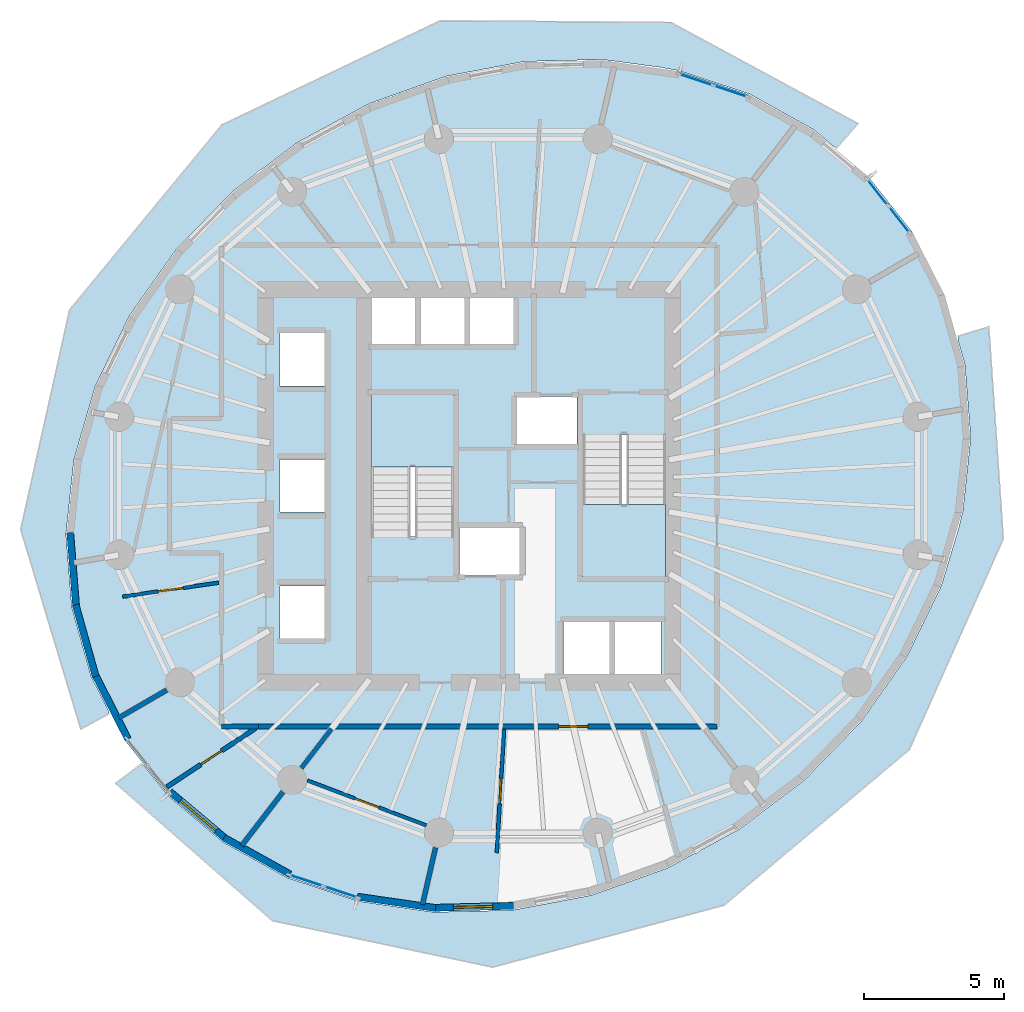
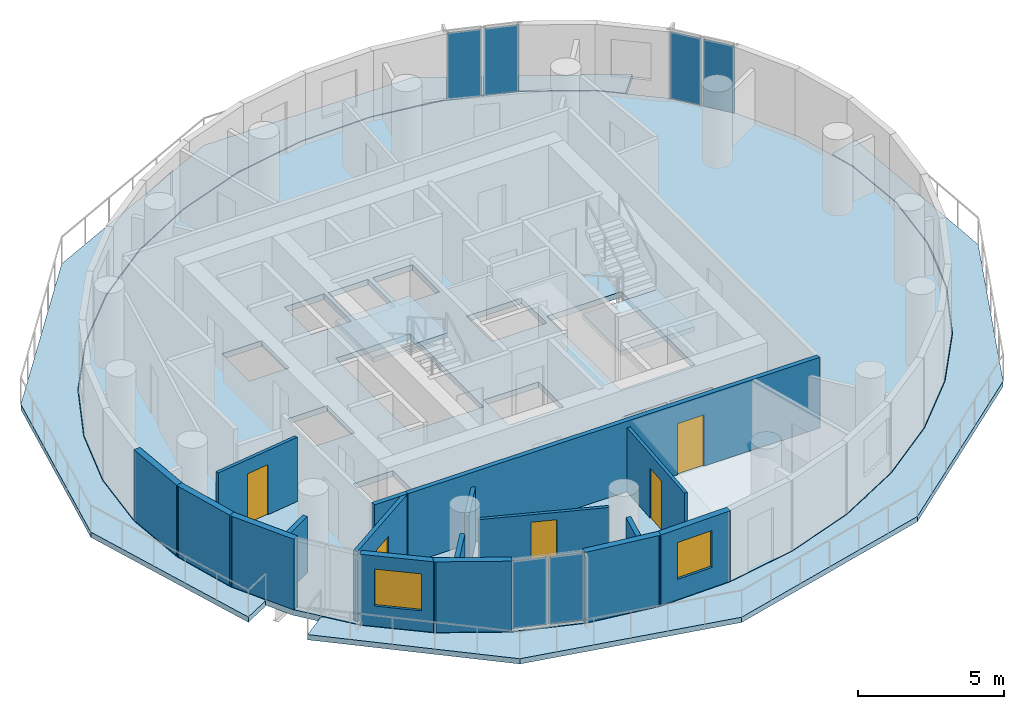
# One storey, part 4 of 12: 17 walls, 6 plates, 5 doors, 5 slabs, 2 windows, 7 openings, 5 elements without a shape of their own.
"""IFC4 building model written with IfcOpenShell, lengths in metres."""

from ifc_helpers import new_model, si_unit, direction, frame, frame_2d, origin, origin_2d, place, context, subcontext, project, spatial, polyline, rectangle, outline, extrude, material, layer, layer_set, type_object, element, fill, aggregate, save


model = new_model("IFC4")

# Units and contexts
model_context = context("Model", 3, precision=1e-05, world=origin(), true_north=direction((0.0, 1.0)))
body_context = subcontext(model_context, "Body", "Model", "MODEL_VIEW")
ifc_project = project(units=[si_unit("LENGTHUNIT", "METRE"), si_unit("AREAUNIT", "SQUARE_METRE"), si_unit("VOLUMEUNIT", "CUBIC_METRE"), si_unit("PLANEANGLEUNIT", "RADIAN"), si_unit("MASSUNIT", "GRAM", prefix="KILO")], contexts=[model_context])

# Site, building, storey
site_placement = place(None, origin())
site = spatial("IfcSite", under=ifc_project, at=site_placement, CompositionType="ELEMENT")
building_placement = place(site_placement, origin())
building = spatial("IfcBuilding", under=site, at=building_placement, Name="Veldorim Arch Residences", CompositionType="ELEMENT")
storey_placement = place(building_placement, frame((0.0, 0.0, 132.9599609375)))
storey = spatial("IfcBuildingStorey", under=building, at=storey_placement, Name="L39", CompositionType="ELEMENT", Elevation=132.9599609375)

# Slabs
ifc_material_1 = material(Name="Concrete C40/50", Category="concrete")
ifc_layer_1 = layer(ifc_material_1, 0.219970703125, Name="Planted Crescent Cantilever Balcony Slab 220")
ifc_layer_set_1 = layer_set([ifc_layer_1], Name="Concrete C40/50")
slab_type_1 = type_object("IfcSlabType", Name="Planted Crescent Cantilever Balcony Slab 220", PredefinedType="FLOOR", material=ifc_layer_set_1)
slab_1_placement = place(storey_placement, frame((0.0, 0.0, -0.219970703125)))
element("IfcSlab", 1, at=slab_1_placement, inside=storey, type_object=slab_type_1, Name="L39 planted crescent balcony slab A", PredefinedType="FLOOR", context=body_context, shape_type="SweptSolid", body=[
    extrude(outline(polyline([(43.224609375, 36.098388671875), (42.52392578125, 36.688720703125), (40.243896484375, 37.954345703125), (37.71337890625, 38.795654296875), (37.022216796875, 38.91650390625), (35.009765625, 39.1875), (32.21484375, 39.117919921875), (29.413330078125, 38.589111328125), (26.69091796875, 37.6171875), (24.12939453125, 36.231689453125), (22.8837890625, 35.289306640625), (22.747314453125, 35.2216796875), (22.661376953125, 35.12109375), (21.806884765625, 34.474609375), (19.794189453125, 32.3994140625), (18.152099609375, 30.069091796875), (16.9306640625, 27.55419921875), (16.166748046875, 24.93115234375), (15.884033203125, 22.279541015625), (16.09130859375, 19.68017578125), (16.78173828125, 17.2119140625), (17.385009765625, 16.02880859375), (17.418212890625, 15.88232421875), (16.408203125, 15.33251953125), (14.267333984375, 22.446533203125), (16.011962890625, 30.2744140625), (21.43603515625, 36.8623046875), (29.218505859375, 40.57470703125), (37.43896484375, 40.510498046875), (44.103271484375, 36.907958984375), (43.344482421875, 36.0439453125), (43.224609375, 36.098388671875)])), origin(), (0.0, 0.0, 1.0), 0.219970703125),
])
slab_2_placement = place(storey_placement, frame((0.0, 0.0, -0.219970703125)))
element("IfcSlab", 2, at=slab_2_placement, inside=storey, type_object=slab_type_1, Name="L39 planted crescent balcony slab B", PredefinedType="FLOOR", context=body_context, shape_type="SweptSolid", body=[
    extrude(outline(polyline([(18.689208984375, 14.001953125), (19.515869140625, 12.962646484375), (21.47607421875, 11.311279296875), (23.756103515625, 10.045654296875), (26.28662109375, 9.204345703125), (28.990234375, 8.8125), (31.78515625, 8.882080078125), (34.586669921875, 9.410888671875), (37.30908203125, 10.3828125), (38.25146484375, 10.892578125), (38.37890625, 10.928955078125), (38.4970703125, 11.025390625), (39.87060546875, 11.768310546875), (42.193115234375, 13.525390625), (44.205810546875, 15.6005859375), (45.847900390625, 17.930908203125), (47.0693359375, 20.44580078125), (47.656494140625, 22.3896484375), (47.833251953125, 23.06884765625), (48.115966796875, 25.720458984375), (47.90869140625, 28.31982421875), (47.662109375, 29.2021484375), (47.662109375, 29.333984375), (48.762939453125, 29.66650390625), (49.280029296875, 22.1083984375), (45.932373046875, 14.600341796875), (39.32861328125, 9.055908203125), (31.08544921875, 6.84912109375), (23.23828125, 8.505126953125), (17.65087890625, 13.4013671875), (18.569580078125, 14.0927734375), (18.689208984375, 14.001953125)])), origin(), (0.0, 0.0, 1.0), 0.219970703125),
])

# Stair, slab
ifc_material_2 = material(Name="Concrete C40/50", Category="concrete")
stair_type = type_object("IfcStairType", Name="Reinforced Concrete Dogleg Exit Staircase", PredefinedType="HALF_TURN_STAIR", material=ifc_material_2)
stair_1_placement = place(storey_placement, origin())
stair_1 = element("IfcStair", 3, at=stair_1_placement, inside=storey, type_object=stair_type, Name="L39 Exit Staircase ST-1", PredefinedType="HALF_TURN_STAIR")
ifc_material_3 = material(Name="Concrete C40/50", Category="concrete")
ifc_layer_2 = layer(ifc_material_3, 0.199951171875, Name="Reinforced Concrete Stair Landing 200")
ifc_layer_set_2 = layer_set([ifc_layer_2], Name="Concrete C40/50")
slab_type_2 = type_object("IfcSlabType", Name="Reinforced Concrete Stair Landing 200", PredefinedType="LANDING", material=ifc_layer_set_2)
slab_3_placement = place(storey_placement, frame((0.0, 0.0, 1.400146484375)))
slab_3 = element("IfcSlab", 4, at=slab_3_placement, type_object=slab_type_2, Name="ST-1 landing 1", PredefinedType="LANDING", context=body_context, shape_type="SweptSolid", body=[
    extrude(outline(polyline([(29.7099609375, 24.669921875), (29.7099609375, 27.25), (26.75, 27.25), (26.75, 24.669921875), (29.7099609375, 24.669921875)])), origin(), (0.0, 0.0, 1.0), 0.199951171875),
])
aggregate(stair_1, [slab_3])

stair_2_placement = place(storey_placement, origin())
stair_2 = element("IfcStair", 5, at=stair_2_placement, inside=storey, type_object=stair_type, Name="L39 Exit Staircase ST-2", PredefinedType="HALF_TURN_STAIR")
slab_4_placement = place(storey_placement, frame((0.0, 0.0, 1.400146484375)))
slab_4 = element("IfcSlab", 6, at=slab_4_placement, type_object=slab_type_2, Name="ST-2 landing 1", PredefinedType="LANDING", context=body_context, shape_type="SweptSolid", body=[
    extrude(outline(polyline([(34.2900390625, 23.330078125), (34.2900390625, 20.75), (37.25, 20.75), (37.25, 23.330078125), (34.2900390625, 23.330078125)])), origin(), (0.0, 0.0, 1.0), 0.199951171875),
])
aggregate(stair_2, [slab_4])

# Slab
ifc_material_4 = material(Name="Concrete C40/50", Category="concrete")
ifc_layer_3 = layer(ifc_material_4, 0.239990234375, Name="Typical Residential Floor Slab 240")
ifc_layer_set_3 = layer_set([ifc_layer_3], Name="Concrete C40/50")
slab_type_3 = type_object("IfcSlabType", Name="Typical Residential Floor Slab 240", PredefinedType="FLOOR", material=ifc_layer_set_3)
slab_5_placement = place(storey_placement, frame((0.0, 0.0, -0.239990234375)))
element("IfcSlab", 7, at=slab_5_placement, inside=storey, type_object=slab_type_3, Name="L39 tower structural floor slab", PredefinedType="FLOOR", context=body_context, shape_type="SweptSolid", body=[
    extrude(outline(polyline([(46.043701171875, 33.03662109375), (44.466064453125, 35.019775390625), (42.509521484375, 36.66796875), (40.233642578125, 37.931396484375), (37.707763671875, 38.771240234375), (35.00830078125, 39.16259765625), (32.217529296875, 39.093017578125), (29.419921875, 38.56494140625), (26.700927734375, 37.59423828125), (24.142822265625, 36.21044921875), (21.823486328125, 34.455810546875), (19.8134765625, 32.38330078125), (18.173583984375, 30.056396484375), (16.9541015625, 27.545166015625), (16.19140625, 24.92626953125), (15.9091796875, 22.279296875), (16.115966796875, 19.6845703125), (16.80517578125, 17.220947265625), (17.956298828125, 14.96337890625), (19.533935546875, 12.980224609375), (21.490478515625, 11.33203125), (23.766357421875, 10.068603515625), (26.292236328125, 9.228759765625), (28.99169921875, 8.83740234375), (31.782470703125, 8.906982421875), (34.580078125, 9.43505859375), (37.299072265625, 10.40576171875), (39.857177734375, 11.78955078125), (42.176513671875, 13.544189453125), (44.1865234375, 15.61669921875), (45.826416015625, 17.943603515625), (47.0458984375, 20.454833984375), (47.80859375, 23.07373046875), (48.0908203125, 25.720703125), (47.884033203125, 28.3154296875), (47.19482421875, 30.779052734375), (46.043701171875, 33.03662109375)]), holes=[polyline([(23.510009765625, 18.56005859375), (23.510009765625, 20.43994140625), (25.090087890625, 20.43994140625), (25.090087890625, 18.56005859375), (23.510009765625, 18.56005859375)]), polyline([(23.510009765625, 24.93994140625), (25.090087890625, 24.93994140625), (25.090087890625, 23.06005859375), (23.510009765625, 23.06005859375), (23.510009765625, 24.93994140625)]), polyline([(26.75, 27.25), (29.7099609375, 27.25), (29.7099609375, 22.195068359375), (26.75, 22.195068359375), (26.75, 27.25)]), polyline([(23.510009765625, 27.56005859375), (23.510009765625, 29.43994140625), (25.090087890625, 29.43994140625), (25.090087890625, 27.56005859375), (23.510009765625, 27.56005859375)]), polyline([(26.760009765625, 30.7900390625), (28.340087890625, 30.7900390625), (28.340087890625, 28.909912109375), (26.760009765625, 28.909912109375), (26.760009765625, 30.7900390625)]), polyline([(28.510009765625, 30.7900390625), (30.090087890625, 30.7900390625), (30.090087890625, 28.909912109375), (28.510009765625, 28.909912109375), (28.510009765625, 30.7900390625)]), polyline([(33.610107421875, 17.2099609375), (33.610107421875, 19.2900390625), (35.2900390625, 19.2900390625), (35.2900390625, 17.2099609375), (33.610107421875, 17.2099609375)]), polyline([(35.409912109375, 19.2900390625), (37.090087890625, 19.2900390625), (37.090087890625, 17.2099609375), (35.409912109375, 17.2099609375), (35.409912109375, 19.2900390625)]), polyline([(29.909912109375, 22.544921875), (32.090087890625, 22.544921875), (32.090087890625, 20.81494140625), (29.909912109375, 20.81494140625), (29.909912109375, 22.544921875)]), polyline([(34.2900390625, 20.75), (34.2900390625, 25.804931640625), (37.25, 25.804931640625), (37.25, 20.75), (34.2900390625, 20.75)]), polyline([(31.909912109375, 27.18505859375), (34.090087890625, 27.18505859375), (34.090087890625, 25.455078125), (31.909912109375, 25.455078125), (31.909912109375, 27.18505859375)]), polyline([(30.260009765625, 30.7900390625), (31.840087890625, 30.7900390625), (31.840087890625, 28.909912109375), (30.260009765625, 28.909912109375), (30.260009765625, 30.7900390625)])]), origin(), (0.0, 0.0, 1.0), 0.239990234375),
])

# Curtain wall, plates
ifc_material_5 = material(Name="Aluminium", Category="aluminium")
curtain_wall_type = type_object("IfcCurtainWallType", Name="Zone 3 High-Wind Unitised Curtain Wall", PredefinedType="NOTDEFINED", material=ifc_material_5)
curtain_wall_1_placement = place(storey_placement, origin())
curtain_wall_1 = element("IfcCurtainWall", 8, at=curtain_wall_1_placement, inside=storey, type_object=curtain_wall_type, Name="L39 unitised curtain wall bay 01", PredefinedType="NOTDEFINED")
ifc_material_6 = material(Name="Laminated Low-E Glass", Category="glass")
ifc_layer_4 = layer(ifc_material_6, 0.028076171875, Name="Zone 3 High-Wind Unitised Curtain Wall Glazing Panel 28")
ifc_layer_set_4 = layer_set([ifc_layer_4], Name="Laminated Low-E Glass")
plate_type = type_object("IfcPlateType", Name="Zone 3 High-Wind Unitised Curtain Wall Glazing Panel 28", PredefinedType="CURTAIN_PANEL", material=ifc_layer_set_4)
plate_1_placement = place(storey_placement, frame((44.801025390625, 34.454345703125, 0.06982421875), z_axis=(0.0, 0.0, 1.0), x_axis=(0.622580140716, -0.782556048079, 0.0)))
plate_1 = element("IfcPlate", 9, at=plate_1_placement, type_object=plate_type, Name="CW-Z3 panel 1.1", PredefinedType="CURTAIN_PANEL", context=body_context, shape_type="SweptSolid", body=[
    extrude(rectangle(XDim=1.162109375, YDim=0.028076171875, at=origin_2d()), origin(), (0.0, 0.0, 1.0), 2.820068359375),
])
plate_2_placement = place(storey_placement, frame((45.568115234375, 33.490234375, 0.06982421875), z_axis=(0.0, 0.0, 1.0), x_axis=(0.622580140716, -0.782556048079, 0.0)))
plate_2 = element("IfcPlate", 10, at=plate_2_placement, type_object=plate_type, Name="CW-Z3 panel 2.1", PredefinedType="CURTAIN_PANEL", context=body_context, shape_type="SweptSolid", body=[
    extrude(rectangle(XDim=1.162109375, YDim=0.028076171875, at=origin_2d()), origin(), (0.0, 0.0, 1.0), 2.820068359375),
])
aggregate(curtain_wall_1, [plate_1, plate_2])

curtain_wall_2_placement = place(storey_placement, origin())
curtain_wall_2 = element("IfcCurtainWall", 11, at=curtain_wall_2_placement, inside=storey, type_object=curtain_wall_type, Name="L39 unitised curtain wall bay 04", PredefinedType="NOTDEFINED")
plate_3_placement = place(storey_placement, frame((38.327392578125, 38.470458984375, 0.06982421875), z_axis=(0.0, 0.0, 1.0), x_axis=(0.948908451006, -0.315551503895, 0.0)))
plate_3 = element("IfcPlate", 12, at=plate_3_placement, type_object=plate_type, Name="CW-Z3 panel 1.1", PredefinedType="CURTAIN_PANEL", context=body_context, shape_type="SweptSolid", body=[
    extrude(rectangle(XDim=1.22607421875, YDim=0.028076171875, at=origin_2d()), origin(), (0.0, 0.0, 1.0), 2.820068359375),
])
plate_4_placement = place(storey_placement, frame((39.55712890625, 38.0615234375, 0.06982421875), z_axis=(0.0, 0.0, 1.0), x_axis=(0.948908451006, -0.315551503895, 0.0)))
plate_4 = element("IfcPlate", 13, at=plate_4_placement, type_object=plate_type, Name="CW-Z3 panel 2.1", PredefinedType="CURTAIN_PANEL", context=body_context, shape_type="SweptSolid", body=[
    extrude(rectangle(XDim=1.22607421875, YDim=0.028076171875, at=origin_2d()), origin(), (0.0, 0.0, 1.0), 2.820068359375),
])
aggregate(curtain_wall_2, [plate_3, plate_4])

curtain_wall_3_placement = place(storey_placement, origin())
curtain_wall_3 = element("IfcCurtainWall", 14, at=curtain_wall_3_placement, inside=storey, type_object=curtain_wall_type, Name="L39 unitised curtain wall bay 22", PredefinedType="NOTDEFINED")
plate_5_placement = place(storey_placement, frame((25.672607421875, 9.529541015625, 0.06982421875), z_axis=(0.0, 0.0, 1.0), x_axis=(-0.948908451006, 0.315551503895, 0.0)))
plate_5 = element("IfcPlate", 15, at=plate_5_placement, type_object=plate_type, Name="CW-Z3 panel 1.1", PredefinedType="CURTAIN_PANEL", context=body_context, shape_type="SweptSolid", body=[
    extrude(rectangle(XDim=1.22607421875, YDim=0.028076171875, at=origin_2d()), origin(), (0.0, 0.0, 1.0), 2.820068359375),
])
plate_6_placement = place(storey_placement, frame((24.44287109375, 9.9384765625, 0.06982421875), z_axis=(0.0, 0.0, 1.0), x_axis=(-0.948908451006, 0.315551503895, 0.0)))
plate_6 = element("IfcPlate", 16, at=plate_6_placement, type_object=plate_type, Name="CW-Z3 panel 2.1", PredefinedType="CURTAIN_PANEL", context=body_context, shape_type="SweptSolid", body=[
    extrude(rectangle(XDim=1.22607421875, YDim=0.028076171875, at=origin_2d()), origin(), (0.0, 0.0, 1.0), 2.820068359375),
])
aggregate(curtain_wall_3, [plate_5, plate_6])

# Wall, opening, door
ifc_material_7 = material(Name="Acoustic Gypsum Board", Category="gypsum")
ifc_layer_5 = layer(ifc_material_7, 0.125, Name="Acoustic Stud Room Partition Wall 125")
ifc_layer_set_5 = layer_set([ifc_layer_5], Name="Acoustic Gypsum Board")
wall_type_1 = type_object("IfcWallType", Name="Acoustic Stud Room Partition Wall 125", PredefinedType="PARTITIONING", material=ifc_layer_set_5)
wall_1_placement = place(storey_placement, frame((31.23095703125, 10.92724609375, 0.0), z_axis=(0.0, 0.0, 1.0), x_axis=(0.058751291398, 0.998272651012, 0.0)))
wall_1 = element("IfcWall", 17, at=wall_1_placement, inside=storey, type_object=wall_type_1, Name="L39 interior wall WL-RES-L39-012", PredefinedType="PARTITIONING", context=body_context, shape_type="SweptSolid", body=[
    extrude(rectangle(XDim=4.400634765625, YDim=0.125, at=frame_2d((2.2001953125, 0.0))), origin(), (0.0, 0.0, 1.0), 2.692138671875),
])
opening_1_placement = place(wall_1_placement, frame((1.750244140625, 0.0, 0.0)))
opening_1 = element("IfcOpeningElement", 18, at=opening_1_placement, cuts=wall_1, Name="Opening DR-INT", PredefinedType="OPENING", context=body_context, shape_type="SweptSolid", body=[
    extrude(rectangle(XDim=0.89990234375, YDim=2.10009765625, at=frame_2d((0.449951171875, 1.050048828125))), frame((0.0, 0.072509765625, 0.0), z_axis=(0.0, -1.0, 0.0), x_axis=(1.0, 0.0, 0.0)), (0.0, 0.0, 1.0), 0.14501953125),
])
ifc_material_8 = material(Name="Engineered Timber", Category="wood")
door_type_1 = type_object("IfcDoorType", Name="Apartment Internal Room Timber Door 900x2100", OperationType="SINGLE_SWING_LEFT", PredefinedType="DOOR", material=ifc_material_8)
door_1_placement = place(opening_1_placement, origin())
door_1 = element("IfcDoor", 19, at=door_1_placement, inside=storey, type_object=door_type_1, Name="L39 interior door DR-RES-L39-003", OperationType="SINGLE_SWING_LEFT", OverallHeight=2.10009765625, OverallWidth=0.89990234375, PredefinedType="DOOR", context=body_context, shape_type="SweptSolid", body=[
    extrude(rectangle(XDim=0.89990234375, YDim=2.10009765625, at=frame_2d((0.449951171875, 1.050048828125))), frame((0.0, 0.02490234375, 0.0), z_axis=(0.0, -1.0, 0.0), x_axis=(1.0, 0.0, 0.0)), (0.0, 0.0, 1.0), 0.050048828125),
])
fill(opening_1, door_1)

wall_2_placement = place(storey_placement, frame((28.7216796875, 11.89697265625, 0.0), z_axis=(0.0, 0.0, 1.0), x_axis=(-0.935309901838, 0.353829602385, 0.0)))
wall_2 = element("IfcWall", 20, at=wall_2_placement, inside=storey, type_object=wall_type_1, Name="L39 interior wall WL-RES-L39-014", PredefinedType="PARTITIONING", context=body_context, shape_type="SweptSolid", body=[
    extrude(rectangle(XDim=4.525634765625, YDim=0.125, at=frame_2d((2.2626953125, 0.0))), origin(), (0.0, 0.0, 1.0), 2.411376953125),
])
opening_2_placement = place(wall_2_placement, frame((1.81298828125, 0.0, 0.0)))
opening_2 = element("IfcOpeningElement", 21, at=opening_2_placement, cuts=wall_2, Name="Opening DR-INT", PredefinedType="OPENING", context=body_context, shape_type="SweptSolid", body=[
    extrude(rectangle(XDim=0.89990234375, YDim=2.10009765625, at=frame_2d((0.449951171875, 1.050048828125))), frame((0.0, 0.072509765625, 0.0), z_axis=(0.0, -1.0, 0.0), x_axis=(1.0, 0.0, 0.0)), (0.0, 0.0, 1.0), 0.14501953125),
])
door_2_placement = place(opening_2_placement, origin())
door_2 = element("IfcDoor", 22, at=door_2_placement, inside=storey, type_object=door_type_1, Name="L39 interior door DR-RES-L39-004", OperationType="SINGLE_SWING_RIGHT", OverallHeight=2.10009765625, OverallWidth=0.89990234375, PredefinedType="DOOR", context=body_context, shape_type="SweptSolid", body=[
    extrude(rectangle(XDim=0.89990234375, YDim=2.10009765625, at=frame_2d((0.449951171875, 1.050048828125))), frame((0.0, 0.02490234375, 0.0), z_axis=(0.0, -1.0, 0.0), x_axis=(1.0, 0.0, 0.0)), (0.0, 0.0, 1.0), 0.050048828125),
])
fill(opening_2, door_2)

wall_3_placement = place(storey_placement, frame((17.8994140625, 20.0517578125, 0.0), z_axis=(0.0, 0.0, 1.0), x_axis=(0.989601977359, 0.143832980941, 0.0)))
wall_3 = element("IfcWall", 23, at=wall_3_placement, inside=storey, type_object=wall_type_1, Name="L39 interior wall WL-RES-L39-024", PredefinedType="PARTITIONING", context=body_context, shape_type="SweptSolid", body=[
    extrude(rectangle(XDim=3.45751953125, YDim=0.125, at=frame_2d((1.728759765625, 0.0))), origin(), (0.0, 0.0, 1.0), 2.692138671875),
])
opening_3_placement = place(wall_3_placement, frame((1.27880859375, 0.0, 0.0)))
opening_3 = element("IfcOpeningElement", 24, at=opening_3_placement, cuts=wall_3, Name="Opening DR-INT", PredefinedType="OPENING", context=body_context, shape_type="SweptSolid", body=[
    extrude(rectangle(XDim=0.89990234375, YDim=2.10009765625, at=frame_2d((0.449951171875, 1.050048828125))), frame((0.0, 0.072509765625, 0.0), z_axis=(0.0, -1.0, 0.0), x_axis=(1.0, 0.0, 0.0)), (0.0, 0.0, 1.0), 0.14501953125),
])
door_3_placement = place(opening_3_placement, origin())
door_3 = element("IfcDoor", 25, at=door_3_placement, inside=storey, type_object=door_type_1, Name="L39 interior door DR-RES-L39-013", OperationType="SINGLE_SWING_LEFT", OverallHeight=2.10009765625, OverallWidth=0.89990234375, PredefinedType="DOOR", context=body_context, shape_type="SweptSolid", body=[
    extrude(rectangle(XDim=0.89990234375, YDim=2.10009765625, at=frame_2d((0.449951171875, 1.050048828125))), frame((0.0, 0.02490234375, 0.0), z_axis=(0.0, -1.0, 0.0), x_axis=(1.0, 0.0, 0.0)), (0.0, 0.0, 1.0), 0.050048828125),
])
fill(opening_3, door_3)

# Walls
ifc_material_9 = material(Name="Lightweight Masonry Block & Gypsum", Category="masonry")
ifc_layer_6 = layer(ifc_material_9, 0.179931640625, Name="Compartment & Corridor Fire-Rated Party Wall 180")
ifc_layer_set_6 = layer_set([ifc_layer_6], Name="Lightweight Masonry Block & Gypsum")
wall_type_2 = type_object("IfcWallType", Name="Compartment & Corridor Fire-Rated Party Wall 180", PredefinedType="PARTITIONING", material=ifc_layer_set_6)
wall_4_placement = place(storey_placement, frame((19.472412109375, 16.72607421875, 0.0), z_axis=(0.0, 0.0, 1.0), x_axis=(-0.864844369658, -0.502040054448, 0.0)))
element("IfcWall", 26, at=wall_4_placement, inside=storey, type_object=wall_type_2, Name="L39 interior wall WL-PIER-L39-10", PredefinedType="PARTITIONING", context=body_context, shape_type="SweptSolid", body=[
    extrude(rectangle(XDim=1.974365234375, YDim=0.179931640625, at=frame_2d((0.9873046875, 0.0))), origin(), (0.0, 0.0, 1.0), 2.3359375),
])
wall_5_placement = place(storey_placement, frame((23.612060546875, 13.091552734375, 0.0), z_axis=(0.0, 0.0, 1.0), x_axis=(-0.609549509747, -0.79274800231, 0.0)))
element("IfcWall", 27, at=wall_5_placement, inside=storey, type_object=wall_type_2, Name="L39 interior wall WL-PIER-L39-11", PredefinedType="PARTITIONING", context=body_context, shape_type="SweptSolid", body=[
    extrude(rectangle(XDim=2.414794921875, YDim=0.179931640625, at=frame_2d((1.20751953125, 0.0))), origin(), (0.0, 0.0, 1.0), 2.3359375),
])
wall_6_placement = place(storey_placement, frame((29.049560546875, 11.11083984375, 0.0), z_axis=(0.0, 0.0, 1.0), x_axis=(-0.223063251486, -0.974803973031, 0.0)))
element("IfcWall", 28, at=wall_6_placement, inside=storey, type_object=wall_type_2, Name="L39 interior wall WL-PIER-L39-12", PredefinedType="PARTITIONING", context=body_context, shape_type="SweptSolid", body=[
    extrude(rectangle(XDim=2.0849609375, YDim=0.179931640625, at=frame_2d((1.04248046875, 0.0))), origin(), (0.0, 0.0, 1.0), 2.3359375),
])

# Wall, opening, door
wall_7_placement = place(storey_placement, frame((39.080078125, 15.419921875, 0.0), z_axis=(0.0, 0.0, 1.0), x_axis=(-1.0, 0.0, 0.0)))
wall_7 = element("IfcWall", 29, at=wall_7_placement, inside=storey, type_object=wall_type_2, Name="L39 interior wall WL-RES-L39-001", PredefinedType="PARTITIONING", context=body_context, shape_type="SweptSolid", body=[
    extrude(rectangle(XDim=16.39013671875, YDim=0.179931640625, at=frame_2d((8.195068359375, 0.0))), origin(), (0.0, 0.0, 1.0), 2.955078125),
])
opening_4_placement = place(wall_7_placement, frame((4.5927734375, 0.0, 0.0)))
opening_4 = element("IfcOpeningElement", 30, at=opening_4_placement, cuts=wall_7, Name="Opening DR-FLT", PredefinedType="OPENING", context=body_context, shape_type="SweptSolid", body=[
    extrude(rectangle(XDim=1.050048828125, YDim=2.14990234375, at=frame_2d((0.52490234375, 1.074951171875))), frame((0.0, 0.099853515625, 0.0), z_axis=(0.0, -1.0, 0.0), x_axis=(1.0, 0.0, 0.0)), (0.0, 0.0, 1.0), 0.199951171875),
])
ifc_material_10 = material(Name="Fire-Rated Timber", Category="wood")
door_type_2 = type_object("IfcDoorType", Name="Apartment Entrance Solid-Core Fire Door 1050x2150", OperationType="SINGLE_SWING_LEFT", PredefinedType="DOOR", material=ifc_material_10)
door_4_placement = place(opening_4_placement, origin())
door_4 = element("IfcDoor", 31, at=door_4_placement, inside=storey, type_object=door_type_2, Name="L39 interior door DR-RES-L39-001", OperationType="SINGLE_SWING_LEFT", OverallHeight=2.14990234375, OverallWidth=1.050048828125, PredefinedType="DOOR", context=body_context, shape_type="SweptSolid", body=[
    extrude(rectangle(XDim=1.050048828125, YDim=2.14990234375, at=frame_2d((0.52490234375, 1.074951171875))), frame((0.0, 0.02490234375, 0.0), z_axis=(0.0, -1.0, 0.0), x_axis=(1.0, 0.0, 0.0)), (0.0, 0.0, 1.0), 0.050048828125),
])
fill(opening_4, door_4)

# Walls
wall_8_placement = place(storey_placement, frame((22.74609375, 15.419921875, 0.0), z_axis=(0.0, 0.0, 1.0), x_axis=(-1.0, 0.0, 0.0)))
element("IfcWall", 32, at=wall_8_placement, inside=storey, type_object=wall_type_2, Name="L39 interior wall WL-RES-L39-005", PredefinedType="PARTITIONING", context=body_context, shape_type="SweptSolid", body=[
    extrude(rectangle(XDim=1.326171875, YDim=0.179931640625, at=frame_2d((0.6630859375, 0.0))), origin(), (0.0, 0.0, 1.0), 2.955078125),
])
ifc_material_11 = material(Name="Precast concrete C40/50", Category="concrete")
ifc_layer_7 = layer(ifc_material_11, 0.25, Name="Tower Terracotta Spandrel & Pier Wall 250")
ifc_layer_set_7 = layer_set([ifc_layer_7], Name="Precast concrete C40/50")
wall_type_3 = type_object("IfcWallType", Name="Tower Terracotta Spandrel & Pier Wall 250", PredefinedType="SOLIDWALL", material=ifc_layer_set_7)
wall_9_placement = place(storey_placement, frame((16.244140625, 19.649658203125, 0.0), z_axis=(0.0, 0.0, 1.0), x_axis=(-0.079420906371, 0.996841170714, 0.0)))
element("IfcWall", 33, at=wall_9_placement, inside=storey, type_object=wall_type_3, Name="L39 terracotta facade wall 16", PredefinedType="SOLIDWALL", context=body_context, shape_type="SweptSolid", body=[
    extrude(rectangle(XDim=2.69287109375, YDim=0.25, at=frame_2d((1.346435546875, 0.0))), origin(), (0.0, 0.0, 1.0), 2.9599609375),
])
wall_10_placement = place(storey_placement, frame((16.937744140625, 17.211181640625, 0.0), z_axis=(0.0, 0.0, 1.0), x_axis=(-0.269469206067, 0.963009006698, 0.0)))
element("IfcWall", 34, at=wall_10_placement, inside=storey, type_object=wall_type_3, Name="L39 terracotta facade wall 17", PredefinedType="SOLIDWALL", context=body_context, shape_type="SweptSolid", body=[
    extrude(rectangle(XDim=2.648193359375, YDim=0.25, at=frame_2d((1.32421875, 0.0))), origin(), (0.0, 0.0, 1.0), 2.9599609375),
])
wall_11_placement = place(storey_placement, frame((18.087890625, 14.97998046875, 0.0), z_axis=(0.0, 0.0, 1.0), x_axis=(-0.454196134835, 0.890901717981, 0.0)))
element("IfcWall", 35, at=wall_11_placement, inside=storey, type_object=wall_type_3, Name="L39 terracotta facade wall 18", PredefinedType="SOLIDWALL", context=body_context, shape_type="SweptSolid", body=[
    extrude(rectangle(XDim=2.624267578125, YDim=0.25, at=frame_2d((1.31201171875, 0.0))), origin(), (0.0, 0.0, 1.0), 2.9599609375),
])

# Wall, opening, window
wall_12_placement = place(storey_placement, frame((21.60546875, 11.398681640625, 0.0), z_axis=(0.0, 0.0, 1.0), x_axis=(-0.764825125467, 0.644237943197, 0.0)))
wall_12 = element("IfcWall", 36, at=wall_12_placement, inside=storey, type_object=wall_type_3, Name="L39 terracotta facade wall 20", PredefinedType="SOLIDWALL", context=body_context, shape_type="SweptSolid", body=[
    extrude(rectangle(XDim=2.648193359375, YDim=0.25, at=frame_2d((1.32421875, 0.0))), origin(), (0.0, 0.0, 1.0), 2.9599609375),
])
opening_5_placement = place(wall_12_placement, frame((0.4990234375, 0.0, 0.85009765625)))
opening_5 = element("IfcOpeningElement", 37, at=opening_5_placement, cuts=wall_12, Name="Opening WN-03", PredefinedType="OPENING", context=body_context, shape_type="SweptSolid", body=[
    extrude(rectangle(XDim=1.64990234375, YDim=1.550048828125, at=frame_2d((0.824951171875, 0.77490234375))), frame((0.0, 0.135009765625, 0.0), z_axis=(0.0, -1.0, 0.0), x_axis=(1.0, 0.0, 0.0)), (0.0, 0.0, 1.0), 0.27001953125),
])
ifc_material_12 = material(Name="Laminated Low-E Glass", Category="glass")
window_type_1 = type_object("IfcWindowType", Name="Residential Wide Window 1650x1550", PartitioningType="SINGLE_PANEL", PredefinedType="WINDOW", material=ifc_material_12)
window_1_placement = place(opening_5_placement, origin())
window_1 = element("IfcWindow", 38, at=window_1_placement, inside=storey, type_object=window_type_1, Name="L39 solar-control facade window 20", OverallHeight=1.550048828125, OverallWidth=1.64990234375, PartitioningType="SINGLE_PANEL", PredefinedType="WINDOW", context=body_context, shape_type="SweptSolid", body=[
    extrude(rectangle(XDim=1.64990234375, YDim=1.550048828125, at=frame_2d((0.824951171875, 0.77490234375))), frame((0.0, 0.030029296875, 0.0), z_axis=(0.0, -1.0, 0.0), x_axis=(1.0, 0.0, 0.0)), (0.0, 0.0, 1.0), 0.06005859375),
])
fill(opening_5, window_1)

# Walls
wall_13_placement = place(storey_placement, frame((23.8662109375, 10.15625, 0.0), z_axis=(0.0, 0.0, 1.0), x_axis=(-0.874341102682, 0.485311895755, 0.0)))
element("IfcWall", 39, at=wall_13_placement, inside=storey, type_object=wall_type_3, Name="L39 terracotta facade wall 21", PredefinedType="SOLIDWALL", context=body_context, shape_type="SweptSolid", body=[
    extrude(rectangle(XDim=2.69287109375, YDim=0.25, at=frame_2d((1.346435546875, 0.0))), origin(), (0.0, 0.0, 1.0), 2.9599609375),
])
wall_14_placement = place(storey_placement, frame((29.05419921875, 8.954833984375, 0.0), z_axis=(0.0, 0.0, 1.0), x_axis=(-0.98966505468, 0.143398324768, 0.0)))
element("IfcWall", 40, at=wall_14_placement, inside=storey, type_object=wall_type_3, Name="L39 terracotta facade wall 23", PredefinedType="SOLIDWALL", context=body_context, shape_type="SweptSolid", body=[
    extrude(rectangle(XDim=2.817626953125, YDim=0.25, at=frame_2d((1.40869140625, 0.0))), origin(), (0.0, 0.0, 1.0), 2.9599609375),
])

# Wall, opening, window
wall_15_placement = place(storey_placement, frame((31.824462890625, 9.033203125, 0.0), z_axis=(0.0, 0.0, 1.0), x_axis=(-0.999687646408, -0.02499219116, 0.0)))
wall_15 = element("IfcWall", 41, at=wall_15_placement, inside=storey, type_object=wall_type_3, Name="L39 terracotta facade wall 24", PredefinedType="SOLIDWALL", context=body_context, shape_type="SweptSolid", body=[
    extrude(rectangle(XDim=2.8818359375, YDim=0.25, at=frame_2d((1.44091796875, 0.0))), origin(), (0.0, 0.0, 1.0), 2.9599609375),
])
opening_6_placement = place(wall_15_placement, frame((0.740966796875, 0.0, 0.85009765625)))
opening_6 = element("IfcOpeningElement", 42, at=opening_6_placement, cuts=wall_15, Name="Opening WN-02", PredefinedType="OPENING", context=body_context, shape_type="SweptSolid", body=[
    extrude(rectangle(XDim=1.39990234375, YDim=1.550048828125, at=frame_2d((0.699951171875, 0.77490234375))), frame((0.0, 0.135009765625, 0.0), z_axis=(0.0, -1.0, 0.0), x_axis=(1.0, 0.0, 0.0)), (0.0, 0.0, 1.0), 0.27001953125),
])
ifc_material_13 = material(Name="Laminated Low-E Glass", Category="glass")
window_type_2 = type_object("IfcWindowType", Name="Residential Casement Window 1400x1550", PartitioningType="SINGLE_PANEL", PredefinedType="WINDOW", material=ifc_material_13)
window_2_placement = place(opening_6_placement, origin())
window_2 = element("IfcWindow", 43, at=window_2_placement, inside=storey, type_object=window_type_2, Name="L39 solar-control facade window 24", OverallHeight=1.550048828125, OverallWidth=1.39990234375, PartitioningType="SINGLE_PANEL", PredefinedType="WINDOW", context=body_context, shape_type="SweptSolid", body=[
    extrude(rectangle(XDim=1.39990234375, YDim=1.550048828125, at=frame_2d((0.699951171875, 0.77490234375))), frame((0.0, 0.030029296875, 0.0), z_axis=(0.0, -1.0, 0.0), x_axis=(1.0, 0.0, 0.0)), (0.0, 0.0, 1.0), 0.06005859375),
])
fill(opening_6, window_2)

# Wall
ifc_material_14 = material(Name="Moisture-Resistant Gypsum & Stud", Category="gypsum")
ifc_layer_8 = layer(ifc_material_14, 0.159912109375, Name="Wet-Area Moisture-Resistant Plumbing Wall 160")
ifc_layer_set_8 = layer_set([ifc_layer_8], Name="Moisture-Resistant Gypsum & Stud")
wall_type_4 = type_object("IfcWallType", Name="Wet-Area Moisture-Resistant Plumbing Wall 160", PredefinedType="PLUMBINGWALL", material=ifc_layer_set_8)
wall_16_placement = place(storey_placement, frame((24.267822265625, 13.9443359375, 0.0), z_axis=(0.0, 0.0, 1.0), x_axis=(0.609536601946, 0.792757927042, 0.0)))
element("IfcWall", 44, at=wall_16_placement, inside=storey, type_object=wall_type_4, Name="L39 interior wall WL-RES-L39-015", PredefinedType="PLUMBINGWALL", context=body_context, shape_type="SweptSolid", body=[
    extrude(rectangle(XDim=1.761474609375, YDim=0.159912109375, at=frame_2d((0.880859375, 0.0))), origin(), (0.0, 0.0, 1.0), 2.3359375),
])

# Wall, opening, door
wall_17_placement = place(storey_placement, frame((22.642822265625, 15.36474609375, 0.0), z_axis=(0.0, 0.0, 1.0), x_axis=(-0.83413433024, -0.551561346647, 0.0)))
wall_17 = element("IfcWall", 45, at=wall_17_placement, inside=storey, type_object=wall_type_4, Name="L39 interior wall WL-RES-L39-023", PredefinedType="PLUMBINGWALL", context=body_context, shape_type="SweptSolid", body=[
    extrude(rectangle(XDim=3.7919921875, YDim=0.159912109375, at=frame_2d((1.89599609375, 0.0))), origin(), (0.0, 0.0, 1.0), 2.955078125),
])
opening_7_placement = place(wall_17_placement, frame((1.446044921875, 0.0, 0.0)))
opening_7 = element("IfcOpeningElement", 46, at=opening_7_placement, cuts=wall_17, Name="Opening DR-WC", PredefinedType="OPENING", context=body_context, shape_type="SweptSolid", body=[
    extrude(rectangle(XDim=0.89990234375, YDim=2.10009765625, at=frame_2d((0.449951171875, 1.050048828125))), frame((0.0, 0.08984375, 0.0), z_axis=(0.0, -1.0, 0.0), x_axis=(1.0, 0.0, 0.0)), (0.0, 0.0, 1.0), 0.179931640625),
])
ifc_material_15 = material(Name="Laminate Timber", Category="wood")
door_type_3 = type_object("IfcDoorType", Name="Bathroom & Accessible WC Moisture-Sealed Door 900x2100", OperationType="SINGLE_SWING_LEFT", PredefinedType="DOOR", material=ifc_material_15)
door_5_placement = place(opening_7_placement, origin())
door_5 = element("IfcDoor", 47, at=door_5_placement, inside=storey, type_object=door_type_3, Name="L39 interior door DR-RES-L39-012", OperationType="SINGLE_SWING_RIGHT", OverallHeight=2.10009765625, OverallWidth=0.89990234375, PredefinedType="DOOR", context=body_context, shape_type="SweptSolid", body=[
    extrude(rectangle(XDim=0.89990234375, YDim=2.10009765625, at=frame_2d((0.449951171875, 1.050048828125))), frame((0.0, 0.02490234375, 0.0), z_axis=(0.0, -1.0, 0.0), x_axis=(1.0, 0.0, 0.0)), (0.0, 0.0, 1.0), 0.050048828125),
])
fill(opening_7, door_5)

save(model, "model.ifc")
